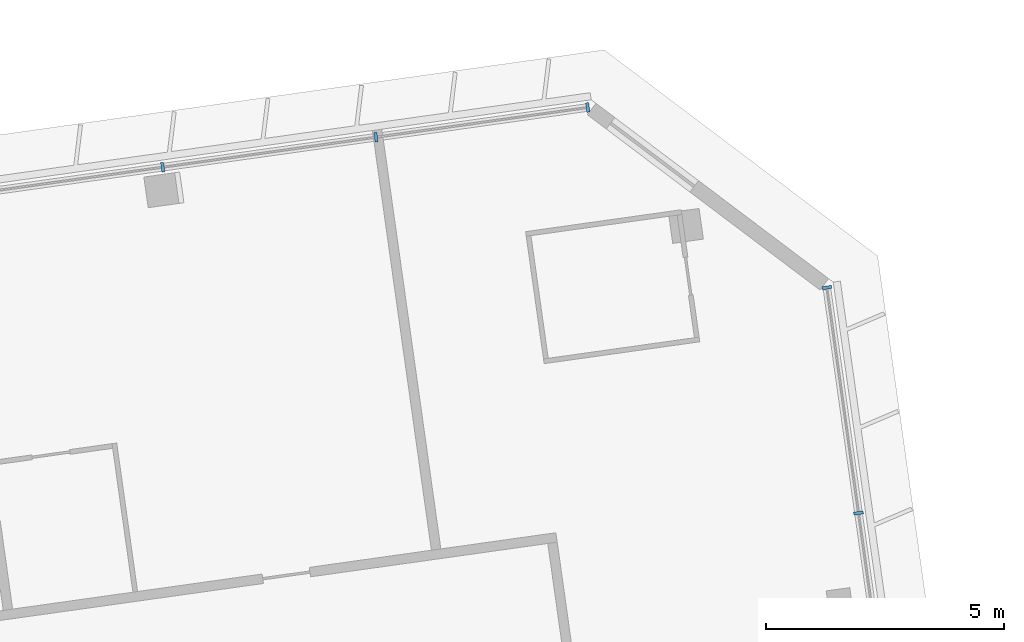
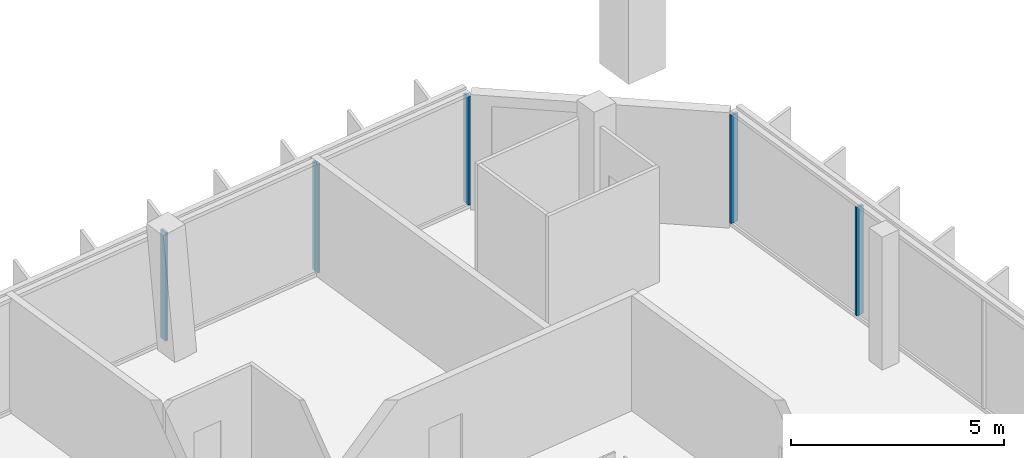
# One storey, part 15 of 30: 5 members, 2 elements without a shape of their own.
"""IFC4 building model written with IfcOpenShell, lengths in metres."""

from ifc_helpers import new_model, si_unit, direction, frame, origin, origin_2d, place, context, subcontext, project, spatial, rectangle, extrude, material, material_profile, profile_set, type_object, element, aggregate, save


model = new_model("IFC4")

# Units and contexts
model_context = context("Model", 3, precision=1e-05, world=origin(), true_north=direction((0.0, 1.0)))
body_context = subcontext(model_context, "Body", "Model", "MODEL_VIEW")
ifc_project = project(units=[si_unit("LENGTHUNIT", "METRE"), si_unit("AREAUNIT", "SQUARE_METRE"), si_unit("VOLUMEUNIT", "CUBIC_METRE"), si_unit("PLANEANGLEUNIT", "RADIAN"), si_unit("MASSUNIT", "GRAM", prefix="KILO")], contexts=[model_context])

# Site, building, storey
site_placement = place(None, origin())
site = spatial("IfcSite", under=ifc_project, at=site_placement, CompositionType="ELEMENT")
building_placement = place(site_placement, origin())
building = spatial("IfcBuilding", under=site, at=building_placement, Name="Mirante Cascada Hotel Towers", CompositionType="ELEMENT")
storey_placement = place(building_placement, frame((0.0, 0.0, 258.4)))
storey = spatial("IfcBuildingStorey", under=building, at=storey_placement, Name="L62", CompositionType="ELEMENT", Elevation=258.4)

# Curtain wall, members
ifc_material_1 = material(Name="Aluminium mullion and transom frame with clear laminated glass", Category="aluminium")
curtain_wall_type_1 = type_object("IfcCurtainWallType", Name="Ribbon curtain wall ECW1", PredefinedType="NOTDEFINED", material=ifc_material_1)
curtain_wall_1_placement = place(storey_placement, origin())
curtain_wall_1 = element("IfcCurtainWall", 1, at=curtain_wall_1_placement, inside=storey, type_object=curtain_wall_type_1, Name="Front ribbon wall T2 L62", PredefinedType="NOTDEFINED")
ifc_material_2 = material(Name="Anodised aluminium extrusion", Category="aluminium")
ifc_material_profile_1 = material_profile(ifc_material_2, rectangle(XDim=0.2, YDim=0.065, at=origin_2d()), Name="ECW1 MULLION 65x200")
ifc_profile_set_1 = profile_set([ifc_material_profile_1], Name="Anodised aluminium extrusion")
member_type_1 = type_object("IfcMemberType", Name="ECW1 mullion 65x200", PredefinedType="MULLION", material=ifc_profile_set_1)
member_1_placement = place(storey_placement, frame((49.5639, 19.7848, 0.1), z_axis=(0.0, 0.0, 1.0), x_axis=(0.1391731, -0.9902681, 0.0)))
member_1 = element("IfcMember", 2, at=member_1_placement, type_object=member_type_1, Name="ECW1 mullion 1", PredefinedType="MULLION", context=body_context, shape_type="SweptSolid", body=[
    extrude(rectangle(XDim=0.2, YDim=0.065, at=origin_2d()), origin(), (0.0, 0.0, 1.0), 3.1),
])
member_2_placement = place(storey_placement, frame((45.1179, 19.1599, 0.1), z_axis=(0.0, 0.0, 1.0), x_axis=(0.1391731, -0.9902681, 0.0)))
member_2 = element("IfcMember", 3, at=member_2_placement, type_object=member_type_1, Name="ECW1 mullion 2", PredefinedType="MULLION", context=body_context, shape_type="SweptSolid", body=[
    extrude(rectangle(XDim=0.2, YDim=0.065, at=origin_2d()), origin(), (0.0, 0.0, 1.0), 3.1),
])
member_3_placement = place(storey_placement, frame((40.6397, 18.5306, 0.1), z_axis=(0.0, 0.0, 1.0), x_axis=(0.1391731, -0.9902681, 0.0)))
member_3 = element("IfcMember", 4, at=member_3_placement, type_object=member_type_1, Name="ECW1 mullion 3", PredefinedType="MULLION", context=body_context, shape_type="SweptSolid", body=[
    extrude(rectangle(XDim=0.2, YDim=0.065, at=origin_2d()), origin(), (0.0, 0.0, 1.0), 3.1),
])
aggregate(curtain_wall_1, [member_1, member_2, member_3])

ifc_material_3 = material(Name="Aluminium mullion and transom frame with clear laminated glass", Category="aluminium")
curtain_wall_type_2 = type_object("IfcCurtainWallType", Name="End ribbon curtain wall ECW2", PredefinedType="NOTDEFINED", material=ifc_material_3)
curtain_wall_2_placement = place(storey_placement, origin())
curtain_wall_2 = element("IfcCurtainWall", 5, at=curtain_wall_2_placement, inside=storey, type_object=curtain_wall_type_2, Name="Outer end wall T2 L62", PredefinedType="NOTDEFINED")
ifc_material_4 = material(Name="Anodised aluminium extrusion", Category="aluminium")
ifc_material_profile_2 = material_profile(ifc_material_4, rectangle(XDim=0.2, YDim=0.065, at=origin_2d()), Name="ECW2 MULLION 65x200")
ifc_profile_set_2 = profile_set([ifc_material_profile_2], Name="Anodised aluminium extrusion")
member_type_2 = type_object("IfcMemberType", Name="ECW2 mullion 65x200", PredefinedType="MULLION", material=ifc_profile_set_2)
member_4_placement = place(storey_placement, frame((55.2491, 11.2684, 0.1), z_axis=(0.0, 0.0, 1.0), x_axis=(-0.9902681, -0.1391731, 0.0)))
member_4 = element("IfcMember", 6, at=member_4_placement, type_object=member_type_2, Name="ECW2 mullion 6", PredefinedType="MULLION", context=body_context, shape_type="SweptSolid", body=[
    extrude(rectangle(XDim=0.2, YDim=0.065, at=origin_2d()), origin(), (0.0, 0.0, 1.0), 3.1),
])
member_5_placement = place(storey_placement, frame((54.5839, 16.002, 0.1), z_axis=(0.0, 0.0, 1.0), x_axis=(-0.9902681, -0.1391731, 0.0)))
member_5 = element("IfcMember", 7, at=member_5_placement, type_object=member_type_2, Name="ECW2 mullion 7", PredefinedType="MULLION", context=body_context, shape_type="SweptSolid", body=[
    extrude(rectangle(XDim=0.2, YDim=0.065, at=origin_2d()), origin(), (0.0, 0.0, 1.0), 3.1),
])
aggregate(curtain_wall_2, [member_4, member_5])

save(model, "model.ifc")
